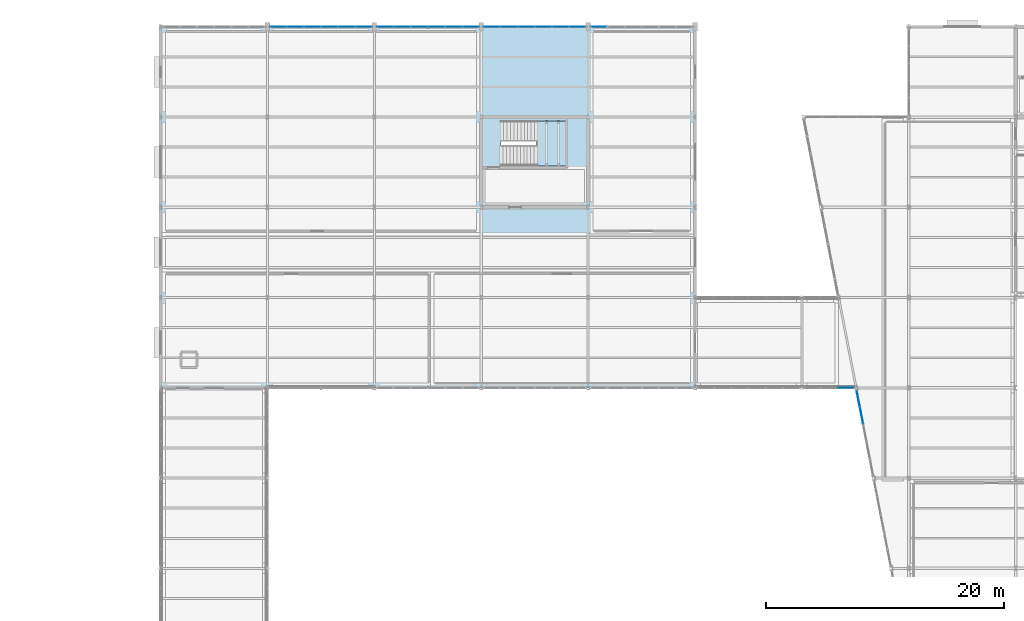
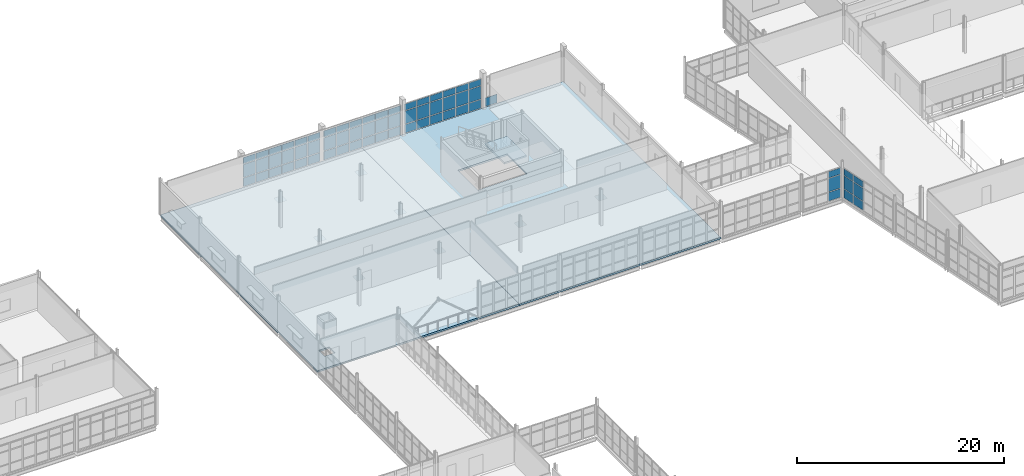
# One storey, part 140 of 174: 64 plates, 3 slabs, 7 elements without a shape of their own.
"""IFC4 building model written with IfcOpenShell, lengths in metres."""

from ifc_helpers import new_model, si_unit, direction, frame, origin, origin_2d, place, context, subcontext, project, spatial, polyline, rectangle, outline, extrude, material, layer, layer_set, type_object, element, aggregate, save


model = new_model("IFC4")

# Units and contexts
model_context = context("Model", 3, precision=1e-05, world=origin(), true_north=direction((0.0, 1.0)))
body_context = subcontext(model_context, "Body", "Model", "MODEL_VIEW")
ifc_project = project(units=[si_unit("LENGTHUNIT", "METRE"), si_unit("AREAUNIT", "SQUARE_METRE"), si_unit("VOLUMEUNIT", "CUBIC_METRE"), si_unit("PLANEANGLEUNIT", "RADIAN"), si_unit("MASSUNIT", "GRAM", prefix="KILO")], contexts=[model_context])

# Site, building, storey
site_placement = place(None, origin())
site = spatial("IfcSite", under=ifc_project, at=site_placement, CompositionType="ELEMENT")
building_placement = place(site_placement, origin())
building = spatial("IfcBuilding", under=site, at=building_placement, Name="Caisbarro Railhouse Central Library", CompositionType="ELEMENT")
storey_placement = place(building_placement, frame((0.0, 0.0, 5.0400390625)))
storey = spatial("IfcBuildingStorey", under=building, at=storey_placement, Name="L01", CompositionType="ELEMENT", Elevation=5.0400390625)

# Curtain wall, plates
ifc_material_1 = material(Name="Anodised architectural aluminium", Category="aluminium")
curtain_wall_type_1 = type_object("IfcCurtainWallType", Name="CW-CW03", PredefinedType="NOTDEFINED", material=ifc_material_1)
curtain_wall_1_placement = place(storey_placement, origin())
curtain_wall_1 = element("IfcCurtainWall", 1, at=curtain_wall_1_placement, inside=storey, type_object=curtain_wall_type_1, Name="CW03 curtain wall L01 #199", PredefinedType="NOTDEFINED")
ifc_material_2 = material(Name="Double low-e laminated solar-control glass", Category="glass")
ifc_layer_1 = layer(ifc_material_2, 0.01806640625, Name="Double low-e laminated solar-control glass")
ifc_layer_set_1 = layer_set([ifc_layer_1], Name="Double low-e laminated solar-control glass")
plate_type_1 = type_object("IfcPlateType", Name="CWP-CP18", PredefinedType="CURTAIN_PANEL", material=ifc_layer_set_1)
plate_1_placement = place(storey_placement, frame((111.683837890625, 83.60009765625, 0.06494140625), z_axis=(0.0, 0.0, 1.0), x_axis=(1.0, 0.0, 0.0)))
plate_1 = element("IfcPlate", 2, at=plate_1_placement, type_object=plate_type_1, Name="CW03 panel 3.1", PredefinedType="CURTAIN_PANEL", context=body_context, shape_type="SweptSolid", body=[
    extrude(rectangle(XDim=1.318603515625, YDim=0.01806640625, at=origin_2d()), origin(), (0.0, 0.0, 1.0), 1.0224609375),
])
plate_2_placement = place(storey_placement, frame((111.683837890625, 83.60009765625, 1.15234375), z_axis=(0.0, 0.0, 1.0), x_axis=(1.0, 0.0, 0.0)))
plate_2 = element("IfcPlate", 3, at=plate_2_placement, type_object=plate_type_1, Name="CW03 panel 3.2", PredefinedType="CURTAIN_PANEL", context=body_context, shape_type="SweptSolid", body=[
    extrude(rectangle(XDim=1.318603515625, YDim=0.01806640625, at=origin_2d()), origin(), (0.0, 0.0, 1.0), 1.574951171875),
])
plate_3_placement = place(storey_placement, frame((111.683837890625, 83.60009765625, 2.79248046875), z_axis=(0.0, 0.0, 1.0), x_axis=(1.0, 0.0, 0.0)))
plate_3 = element("IfcPlate", 4, at=plate_3_placement, type_object=plate_type_1, Name="CW03 panel 3.3", PredefinedType="CURTAIN_PANEL", context=body_context, shape_type="SweptSolid", body=[
    extrude(rectangle(XDim=1.318603515625, YDim=0.01806640625, at=origin_2d()), origin(), (0.0, 0.0, 1.0), 0.75244140625),
])
aggregate(curtain_wall_1, [plate_1, plate_2, plate_3])

curtain_wall_type_2 = type_object("IfcCurtainWallType", Name="CW-CW02", PredefinedType="NOTDEFINED", material=ifc_material_1)
curtain_wall_2_placement = place(storey_placement, origin())
curtain_wall_2 = element("IfcCurtainWall", 5, at=curtain_wall_2_placement, inside=storey, type_object=curtain_wall_type_2, Name="CW02 curtain wall L01 #112", PredefinedType="NOTDEFINED")
ifc_layer_2 = layer(ifc_material_2, 0.0380859375, Name="Double low-e laminated solar-control glass")
ifc_layer_set_2 = layer_set([ifc_layer_2], Name="Double low-e laminated solar-control glass")
plate_type_2 = type_object("IfcPlateType", Name="CWP-CP38", PredefinedType="CURTAIN_PANEL", material=ifc_layer_set_2)
plate_4_placement = place(storey_placement, frame((113.023193359375, 81.257080078125, 0.06494140625), z_axis=(0.0, 0.0, 1.0), x_axis=(-0.190780945369, 0.981632635401, 0.0)))
plate_4 = element("IfcPlate", 6, at=plate_4_placement, type_object=plate_type_2, Name="CW02 panel 4.1", PredefinedType="CURTAIN_PANEL", context=body_context, shape_type="SweptSolid", body=[
    extrude(rectangle(XDim=1.409423828125, YDim=0.0380859375, at=origin_2d()), origin(), (0.0, 0.0, 1.0), 1.0224609375),
])
plate_5_placement = place(storey_placement, frame((113.023193359375, 81.257080078125, 1.152587890625), z_axis=(0.0, 0.0, 1.0), x_axis=(-0.190780945369, 0.981632635401, 0.0)))
plate_5 = element("IfcPlate", 7, at=plate_5_placement, type_object=plate_type_2, Name="CW02 panel 4.2", PredefinedType="CURTAIN_PANEL", context=body_context, shape_type="SweptSolid", body=[
    extrude(rectangle(XDim=1.409423828125, YDim=0.0380859375, at=origin_2d()), origin(), (0.0, 0.0, 1.0), 1.52490234375),
])
plate_6_placement = place(storey_placement, frame((113.023193359375, 81.257080078125, 2.742431640625), z_axis=(0.0, 0.0, 1.0), x_axis=(-0.190780945369, 0.981632635401, 0.0)))
plate_6 = element("IfcPlate", 8, at=plate_6_placement, type_object=plate_type_2, Name="CW02 panel 4.3", PredefinedType="CURTAIN_PANEL", context=body_context, shape_type="SweptSolid", body=[
    extrude(rectangle(XDim=1.409423828125, YDim=0.0380859375, at=origin_2d()), origin(), (0.0, 0.0, 1.0), 0.75244140625),
])
plate_7_placement = place(storey_placement, frame((112.74365234375, 82.69580078125, 0.06494140625), z_axis=(0.0, 0.0, 1.0), x_axis=(-0.190780945369, 0.981632635401, 0.0)))
plate_7 = element("IfcPlate", 9, at=plate_7_placement, type_object=plate_type_2, Name="CW02 panel 5.1", PredefinedType="CURTAIN_PANEL", context=body_context, shape_type="SweptSolid", body=[
    extrude(rectangle(XDim=1.371826171875, YDim=0.0380859375, at=origin_2d()), origin(), (0.0, 0.0, 1.0), 1.0224609375),
])
plate_8_placement = place(storey_placement, frame((112.74365234375, 82.69580078125, 1.152587890625), z_axis=(0.0, 0.0, 1.0), x_axis=(-0.190780945369, 0.981632635401, 0.0)))
plate_8 = element("IfcPlate", 10, at=plate_8_placement, type_object=plate_type_2, Name="CW02 panel 5.2", PredefinedType="CURTAIN_PANEL", context=body_context, shape_type="SweptSolid", body=[
    extrude(rectangle(XDim=1.371826171875, YDim=0.0380859375, at=origin_2d()), origin(), (0.0, 0.0, 1.0), 1.52490234375),
])
plate_9_placement = place(storey_placement, frame((112.74365234375, 82.69580078125, 2.742431640625), z_axis=(0.0, 0.0, 1.0), x_axis=(-0.190780945369, 0.981632635401, 0.0)))
plate_9 = element("IfcPlate", 11, at=plate_9_placement, type_object=plate_type_2, Name="CW02 panel 5.3", PredefinedType="CURTAIN_PANEL", context=body_context, shape_type="SweptSolid", body=[
    extrude(rectangle(XDim=1.371826171875, YDim=0.0380859375, at=origin_2d()), origin(), (0.0, 0.0, 1.0), 0.75244140625),
])
aggregate(curtain_wall_2, [plate_4, plate_5, plate_6, plate_7, plate_8, plate_9])

curtain_wall_3_placement = place(storey_placement, origin())
curtain_wall_3 = element("IfcCurtainWall", 12, at=curtain_wall_3_placement, inside=storey, type_object=curtain_wall_type_1, Name="CW03 curtain wall L01 #173", PredefinedType="NOTDEFINED")
plate_10_placement = place(storey_placement, frame((63.899658203125, 114.0, 0.07470703125), z_axis=(0.0, 0.0, 1.0), x_axis=(1.0, 0.0, 0.0)))
plate_10 = element("IfcPlate", 13, at=plate_10_placement, type_object=plate_type_2, Name="CW03 panel 1.1", PredefinedType="CURTAIN_PANEL", context=body_context, shape_type="SweptSolid", body=[
    extrude(rectangle(XDim=1.34912109375, YDim=0.0380859375, at=origin_2d()), origin(), (0.0, 0.0, 1.0), 1.007568359375),
])
plate_11_placement = place(storey_placement, frame((63.899658203125, 114.0, 1.15771484375), z_axis=(0.0, 0.0, 1.0), x_axis=(1.0, 0.0, 0.0)))
plate_11 = element("IfcPlate", 14, at=plate_11_placement, type_object=plate_type_2, Name="CW03 panel 1.2", PredefinedType="CURTAIN_PANEL", context=body_context, shape_type="SweptSolid", body=[
    extrude(rectangle(XDim=1.34912109375, YDim=0.0380859375, at=origin_2d()), origin(), (0.0, 0.0, 1.0), 1.534912109375),
])
plate_12_placement = place(storey_placement, frame((63.899658203125, 114.0, 2.767578125), z_axis=(0.0, 0.0, 1.0), x_axis=(1.0, 0.0, 0.0)))
plate_12 = element("IfcPlate", 15, at=plate_12_placement, type_object=plate_type_2, Name="CW03 panel 1.3", PredefinedType="CURTAIN_PANEL", context=body_context, shape_type="SweptSolid", body=[
    extrude(rectangle(XDim=1.34912109375, YDim=0.0380859375, at=origin_2d()), origin(), (0.0, 0.0, 1.0), 0.737548828125),
])
plate_13_placement = place(storey_placement, frame((65.330078125, 114.0, 0.07470703125), z_axis=(0.0, 0.0, 1.0), x_axis=(1.0, 0.0, 0.0)))
plate_13 = element("IfcPlate", 16, at=plate_13_placement, type_object=plate_type_2, Name="CW03 panel 2.1", PredefinedType="CURTAIN_PANEL", context=body_context, shape_type="SweptSolid", body=[
    extrude(rectangle(XDim=1.381591796875, YDim=0.0380859375, at=origin_2d()), origin(), (0.0, 0.0, 1.0), 1.007568359375),
])
plate_14_placement = place(storey_placement, frame((65.330078125, 114.0, 1.15771484375), z_axis=(0.0, 0.0, 1.0), x_axis=(1.0, 0.0, 0.0)))
plate_14 = element("IfcPlate", 17, at=plate_14_placement, type_object=plate_type_2, Name="CW03 panel 2.2", PredefinedType="CURTAIN_PANEL", context=body_context, shape_type="SweptSolid", body=[
    extrude(rectangle(XDim=1.381591796875, YDim=0.0380859375, at=origin_2d()), origin(), (0.0, 0.0, 1.0), 1.534912109375),
])
plate_15_placement = place(storey_placement, frame((65.330078125, 114.0, 2.767578125), z_axis=(0.0, 0.0, 1.0), x_axis=(1.0, 0.0, 0.0)))
plate_15 = element("IfcPlate", 18, at=plate_15_placement, type_object=plate_type_2, Name="CW03 panel 2.3", PredefinedType="CURTAIN_PANEL", context=body_context, shape_type="SweptSolid", body=[
    extrude(rectangle(XDim=1.381591796875, YDim=0.0380859375, at=origin_2d()), origin(), (0.0, 0.0, 1.0), 0.737548828125),
])
plate_16_placement = place(storey_placement, frame((66.776611328125, 114.0, 0.07470703125), z_axis=(0.0, 0.0, 1.0), x_axis=(1.0, 0.0, 0.0)))
plate_16 = element("IfcPlate", 19, at=plate_16_placement, type_object=plate_type_2, Name="CW03 panel 3.1", PredefinedType="CURTAIN_PANEL", context=body_context, shape_type="SweptSolid", body=[
    extrude(rectangle(XDim=1.381591796875, YDim=0.0380859375, at=origin_2d()), origin(), (0.0, 0.0, 1.0), 1.007568359375),
])
plate_17_placement = place(storey_placement, frame((66.776611328125, 114.0, 1.15771484375), z_axis=(0.0, 0.0, 1.0), x_axis=(1.0, 0.0, 0.0)))
plate_17 = element("IfcPlate", 20, at=plate_17_placement, type_object=plate_type_2, Name="CW03 panel 3.2", PredefinedType="CURTAIN_PANEL", context=body_context, shape_type="SweptSolid", body=[
    extrude(rectangle(XDim=1.381591796875, YDim=0.0380859375, at=origin_2d()), origin(), (0.0, 0.0, 1.0), 1.534912109375),
])
plate_18_placement = place(storey_placement, frame((66.776611328125, 114.0, 2.767578125), z_axis=(0.0, 0.0, 1.0), x_axis=(1.0, 0.0, 0.0)))
plate_18 = element("IfcPlate", 21, at=plate_18_placement, type_object=plate_type_2, Name="CW03 panel 3.3", PredefinedType="CURTAIN_PANEL", context=body_context, shape_type="SweptSolid", body=[
    extrude(rectangle(XDim=1.381591796875, YDim=0.0380859375, at=origin_2d()), origin(), (0.0, 0.0, 1.0), 0.737548828125),
])
plate_19_placement = place(storey_placement, frame((68.223388671875, 114.0, 0.07470703125), z_axis=(0.0, 0.0, 1.0), x_axis=(1.0, 0.0, 0.0)))
plate_19 = element("IfcPlate", 22, at=plate_19_placement, type_object=plate_type_2, Name="CW03 panel 4.1", PredefinedType="CURTAIN_PANEL", context=body_context, shape_type="SweptSolid", body=[
    extrude(rectangle(XDim=1.381591796875, YDim=0.0380859375, at=origin_2d()), origin(), (0.0, 0.0, 1.0), 1.007568359375),
])
plate_20_placement = place(storey_placement, frame((68.223388671875, 114.0, 1.15771484375), z_axis=(0.0, 0.0, 1.0), x_axis=(1.0, 0.0, 0.0)))
plate_20 = element("IfcPlate", 23, at=plate_20_placement, type_object=plate_type_2, Name="CW03 panel 4.2", PredefinedType="CURTAIN_PANEL", context=body_context, shape_type="SweptSolid", body=[
    extrude(rectangle(XDim=1.381591796875, YDim=0.0380859375, at=origin_2d()), origin(), (0.0, 0.0, 1.0), 1.534912109375),
])
plate_21_placement = place(storey_placement, frame((68.223388671875, 114.0, 2.767578125), z_axis=(0.0, 0.0, 1.0), x_axis=(1.0, 0.0, 0.0)))
plate_21 = element("IfcPlate", 24, at=plate_21_placement, type_object=plate_type_2, Name="CW03 panel 4.3", PredefinedType="CURTAIN_PANEL", context=body_context, shape_type="SweptSolid", body=[
    extrude(rectangle(XDim=1.381591796875, YDim=0.0380859375, at=origin_2d()), origin(), (0.0, 0.0, 1.0), 0.737548828125),
])
plate_22_placement = place(storey_placement, frame((69.669921875, 114.0, 0.07470703125), z_axis=(0.0, 0.0, 1.0), x_axis=(1.0, 0.0, 0.0)))
plate_22 = element("IfcPlate", 25, at=plate_22_placement, type_object=plate_type_2, Name="CW03 panel 5.1", PredefinedType="CURTAIN_PANEL", context=body_context, shape_type="SweptSolid", body=[
    extrude(rectangle(XDim=1.381591796875, YDim=0.0380859375, at=origin_2d()), origin(), (0.0, 0.0, 1.0), 1.007568359375),
])
plate_23_placement = place(storey_placement, frame((69.669921875, 114.0, 1.15771484375), z_axis=(0.0, 0.0, 1.0), x_axis=(1.0, 0.0, 0.0)))
plate_23 = element("IfcPlate", 26, at=plate_23_placement, type_object=plate_type_2, Name="CW03 panel 5.2", PredefinedType="CURTAIN_PANEL", context=body_context, shape_type="SweptSolid", body=[
    extrude(rectangle(XDim=1.381591796875, YDim=0.0380859375, at=origin_2d()), origin(), (0.0, 0.0, 1.0), 1.534912109375),
])
plate_24_placement = place(storey_placement, frame((69.669921875, 114.0, 2.767578125), z_axis=(0.0, 0.0, 1.0), x_axis=(1.0, 0.0, 0.0)))
plate_24 = element("IfcPlate", 27, at=plate_24_placement, type_object=plate_type_2, Name="CW03 panel 5.3", PredefinedType="CURTAIN_PANEL", context=body_context, shape_type="SweptSolid", body=[
    extrude(rectangle(XDim=1.381591796875, YDim=0.0380859375, at=origin_2d()), origin(), (0.0, 0.0, 1.0), 0.737548828125),
])
plate_25_placement = place(storey_placement, frame((71.100341796875, 114.0, 0.07470703125), z_axis=(0.0, 0.0, 1.0), x_axis=(1.0, 0.0, 0.0)))
plate_25 = element("IfcPlate", 28, at=plate_25_placement, type_object=plate_type_2, Name="CW03 panel 6.1", PredefinedType="CURTAIN_PANEL", context=body_context, shape_type="SweptSolid", body=[
    extrude(rectangle(XDim=1.34912109375, YDim=0.0380859375, at=origin_2d()), origin(), (0.0, 0.0, 1.0), 1.007568359375),
])
plate_26_placement = place(storey_placement, frame((71.100341796875, 114.0, 1.15771484375), z_axis=(0.0, 0.0, 1.0), x_axis=(1.0, 0.0, 0.0)))
plate_26 = element("IfcPlate", 29, at=plate_26_placement, type_object=plate_type_2, Name="CW03 panel 6.2", PredefinedType="CURTAIN_PANEL", context=body_context, shape_type="SweptSolid", body=[
    extrude(rectangle(XDim=1.34912109375, YDim=0.0380859375, at=origin_2d()), origin(), (0.0, 0.0, 1.0), 1.534912109375),
])
plate_27_placement = place(storey_placement, frame((71.100341796875, 114.0, 2.767578125), z_axis=(0.0, 0.0, 1.0), x_axis=(1.0, 0.0, 0.0)))
plate_27 = element("IfcPlate", 30, at=plate_27_placement, type_object=plate_type_2, Name="CW03 panel 6.3", PredefinedType="CURTAIN_PANEL", context=body_context, shape_type="SweptSolid", body=[
    extrude(rectangle(XDim=1.34912109375, YDim=0.0380859375, at=origin_2d()), origin(), (0.0, 0.0, 1.0), 0.737548828125),
])
aggregate(curtain_wall_3, [plate_10, plate_11, plate_12, plate_13, plate_14, plate_15, plate_16, plate_17, plate_18, plate_19, plate_20, plate_21, plate_22, plate_23, plate_24, plate_25, plate_26, plate_27])

curtain_wall_4_placement = place(storey_placement, origin())
curtain_wall_4 = element("IfcCurtainWall", 31, at=curtain_wall_4_placement, inside=storey, type_object=curtain_wall_type_1, Name="CW03 curtain wall L01 #175", PredefinedType="NOTDEFINED")
plate_28_placement = place(storey_placement, frame((72.899658203125, 114.0, 0.07470703125), z_axis=(0.0, 0.0, 1.0), x_axis=(1.0, 0.0, 0.0)))
plate_28 = element("IfcPlate", 32, at=plate_28_placement, type_object=plate_type_2, Name="CW03 panel 1.1", PredefinedType="CURTAIN_PANEL", context=body_context, shape_type="SweptSolid", body=[
    extrude(rectangle(XDim=1.34912109375, YDim=0.0380859375, at=origin_2d()), origin(), (0.0, 0.0, 1.0), 1.007568359375),
])
plate_29_placement = place(storey_placement, frame((72.899658203125, 114.0, 1.15771484375), z_axis=(0.0, 0.0, 1.0), x_axis=(1.0, 0.0, 0.0)))
plate_29 = element("IfcPlate", 33, at=plate_29_placement, type_object=plate_type_2, Name="CW03 panel 1.2", PredefinedType="CURTAIN_PANEL", context=body_context, shape_type="SweptSolid", body=[
    extrude(rectangle(XDim=1.34912109375, YDim=0.0380859375, at=origin_2d()), origin(), (0.0, 0.0, 1.0), 1.534912109375),
])
plate_30_placement = place(storey_placement, frame((72.899658203125, 114.0, 2.767578125), z_axis=(0.0, 0.0, 1.0), x_axis=(1.0, 0.0, 0.0)))
plate_30 = element("IfcPlate", 34, at=plate_30_placement, type_object=plate_type_2, Name="CW03 panel 1.3", PredefinedType="CURTAIN_PANEL", context=body_context, shape_type="SweptSolid", body=[
    extrude(rectangle(XDim=1.34912109375, YDim=0.0380859375, at=origin_2d()), origin(), (0.0, 0.0, 1.0), 0.737548828125),
])
plate_31_placement = place(storey_placement, frame((74.330078125, 114.0, 0.07470703125), z_axis=(0.0, 0.0, 1.0), x_axis=(1.0, 0.0, 0.0)))
plate_31 = element("IfcPlate", 35, at=plate_31_placement, type_object=plate_type_2, Name="CW03 panel 2.1", PredefinedType="CURTAIN_PANEL", context=body_context, shape_type="SweptSolid", body=[
    extrude(rectangle(XDim=1.381591796875, YDim=0.0380859375, at=origin_2d()), origin(), (0.0, 0.0, 1.0), 1.007568359375),
])
plate_32_placement = place(storey_placement, frame((74.330078125, 114.0, 1.15771484375), z_axis=(0.0, 0.0, 1.0), x_axis=(1.0, 0.0, 0.0)))
plate_32 = element("IfcPlate", 36, at=plate_32_placement, type_object=plate_type_2, Name="CW03 panel 2.2", PredefinedType="CURTAIN_PANEL", context=body_context, shape_type="SweptSolid", body=[
    extrude(rectangle(XDim=1.381591796875, YDim=0.0380859375, at=origin_2d()), origin(), (0.0, 0.0, 1.0), 1.534912109375),
])
plate_33_placement = place(storey_placement, frame((74.330078125, 114.0, 2.767578125), z_axis=(0.0, 0.0, 1.0), x_axis=(1.0, 0.0, 0.0)))
plate_33 = element("IfcPlate", 37, at=plate_33_placement, type_object=plate_type_2, Name="CW03 panel 2.3", PredefinedType="CURTAIN_PANEL", context=body_context, shape_type="SweptSolid", body=[
    extrude(rectangle(XDim=1.381591796875, YDim=0.0380859375, at=origin_2d()), origin(), (0.0, 0.0, 1.0), 0.737548828125),
])
plate_34_placement = place(storey_placement, frame((75.776611328125, 114.0, 0.07470703125), z_axis=(0.0, 0.0, 1.0), x_axis=(1.0, 0.0, 0.0)))
plate_34 = element("IfcPlate", 38, at=plate_34_placement, type_object=plate_type_2, Name="CW03 panel 3.1", PredefinedType="CURTAIN_PANEL", context=body_context, shape_type="SweptSolid", body=[
    extrude(rectangle(XDim=1.381591796875, YDim=0.0380859375, at=origin_2d()), origin(), (0.0, 0.0, 1.0), 1.007568359375),
])
plate_35_placement = place(storey_placement, frame((75.776611328125, 114.0, 1.15771484375), z_axis=(0.0, 0.0, 1.0), x_axis=(1.0, 0.0, 0.0)))
plate_35 = element("IfcPlate", 39, at=plate_35_placement, type_object=plate_type_2, Name="CW03 panel 3.2", PredefinedType="CURTAIN_PANEL", context=body_context, shape_type="SweptSolid", body=[
    extrude(rectangle(XDim=1.381591796875, YDim=0.0380859375, at=origin_2d()), origin(), (0.0, 0.0, 1.0), 1.534912109375),
])
plate_36_placement = place(storey_placement, frame((75.776611328125, 114.0, 2.767578125), z_axis=(0.0, 0.0, 1.0), x_axis=(1.0, 0.0, 0.0)))
plate_36 = element("IfcPlate", 40, at=plate_36_placement, type_object=plate_type_2, Name="CW03 panel 3.3", PredefinedType="CURTAIN_PANEL", context=body_context, shape_type="SweptSolid", body=[
    extrude(rectangle(XDim=1.381591796875, YDim=0.0380859375, at=origin_2d()), origin(), (0.0, 0.0, 1.0), 0.737548828125),
])
plate_37_placement = place(storey_placement, frame((77.223388671875, 114.0, 0.07470703125), z_axis=(0.0, 0.0, 1.0), x_axis=(1.0, 0.0, 0.0)))
plate_37 = element("IfcPlate", 41, at=plate_37_placement, type_object=plate_type_2, Name="CW03 panel 4.1", PredefinedType="CURTAIN_PANEL", context=body_context, shape_type="SweptSolid", body=[
    extrude(rectangle(XDim=1.381591796875, YDim=0.0380859375, at=origin_2d()), origin(), (0.0, 0.0, 1.0), 1.007568359375),
])
plate_38_placement = place(storey_placement, frame((77.223388671875, 114.0, 1.15771484375), z_axis=(0.0, 0.0, 1.0), x_axis=(1.0, 0.0, 0.0)))
plate_38 = element("IfcPlate", 42, at=plate_38_placement, type_object=plate_type_2, Name="CW03 panel 4.2", PredefinedType="CURTAIN_PANEL", context=body_context, shape_type="SweptSolid", body=[
    extrude(rectangle(XDim=1.381591796875, YDim=0.0380859375, at=origin_2d()), origin(), (0.0, 0.0, 1.0), 1.534912109375),
])
plate_39_placement = place(storey_placement, frame((77.223388671875, 114.0, 2.767578125), z_axis=(0.0, 0.0, 1.0), x_axis=(1.0, 0.0, 0.0)))
plate_39 = element("IfcPlate", 43, at=plate_39_placement, type_object=plate_type_2, Name="CW03 panel 4.3", PredefinedType="CURTAIN_PANEL", context=body_context, shape_type="SweptSolid", body=[
    extrude(rectangle(XDim=1.381591796875, YDim=0.0380859375, at=origin_2d()), origin(), (0.0, 0.0, 1.0), 0.737548828125),
])
plate_40_placement = place(storey_placement, frame((78.669921875, 114.0, 0.07470703125), z_axis=(0.0, 0.0, 1.0), x_axis=(1.0, 0.0, 0.0)))
plate_40 = element("IfcPlate", 44, at=plate_40_placement, type_object=plate_type_2, Name="CW03 panel 5.1", PredefinedType="CURTAIN_PANEL", context=body_context, shape_type="SweptSolid", body=[
    extrude(rectangle(XDim=1.381591796875, YDim=0.0380859375, at=origin_2d()), origin(), (0.0, 0.0, 1.0), 1.007568359375),
])
plate_41_placement = place(storey_placement, frame((78.669921875, 114.0, 1.15771484375), z_axis=(0.0, 0.0, 1.0), x_axis=(1.0, 0.0, 0.0)))
plate_41 = element("IfcPlate", 45, at=plate_41_placement, type_object=plate_type_2, Name="CW03 panel 5.2", PredefinedType="CURTAIN_PANEL", context=body_context, shape_type="SweptSolid", body=[
    extrude(rectangle(XDim=1.381591796875, YDim=0.0380859375, at=origin_2d()), origin(), (0.0, 0.0, 1.0), 1.534912109375),
])
plate_42_placement = place(storey_placement, frame((78.669921875, 114.0, 2.767578125), z_axis=(0.0, 0.0, 1.0), x_axis=(1.0, 0.0, 0.0)))
plate_42 = element("IfcPlate", 46, at=plate_42_placement, type_object=plate_type_2, Name="CW03 panel 5.3", PredefinedType="CURTAIN_PANEL", context=body_context, shape_type="SweptSolid", body=[
    extrude(rectangle(XDim=1.381591796875, YDim=0.0380859375, at=origin_2d()), origin(), (0.0, 0.0, 1.0), 0.737548828125),
])
plate_43_placement = place(storey_placement, frame((80.100341796875, 114.0, 0.07470703125), z_axis=(0.0, 0.0, 1.0), x_axis=(1.0, 0.0, 0.0)))
plate_43 = element("IfcPlate", 47, at=plate_43_placement, type_object=plate_type_2, Name="CW03 panel 6.1", PredefinedType="CURTAIN_PANEL", context=body_context, shape_type="SweptSolid", body=[
    extrude(rectangle(XDim=1.34912109375, YDim=0.0380859375, at=origin_2d()), origin(), (0.0, 0.0, 1.0), 1.007568359375),
])
plate_44_placement = place(storey_placement, frame((80.100341796875, 114.0, 1.15771484375), z_axis=(0.0, 0.0, 1.0), x_axis=(1.0, 0.0, 0.0)))
plate_44 = element("IfcPlate", 48, at=plate_44_placement, type_object=plate_type_2, Name="CW03 panel 6.2", PredefinedType="CURTAIN_PANEL", context=body_context, shape_type="SweptSolid", body=[
    extrude(rectangle(XDim=1.34912109375, YDim=0.0380859375, at=origin_2d()), origin(), (0.0, 0.0, 1.0), 1.534912109375),
])
plate_45_placement = place(storey_placement, frame((80.100341796875, 114.0, 2.767578125), z_axis=(0.0, 0.0, 1.0), x_axis=(1.0, 0.0, 0.0)))
plate_45 = element("IfcPlate", 49, at=plate_45_placement, type_object=plate_type_2, Name="CW03 panel 6.3", PredefinedType="CURTAIN_PANEL", context=body_context, shape_type="SweptSolid", body=[
    extrude(rectangle(XDim=1.34912109375, YDim=0.0380859375, at=origin_2d()), origin(), (0.0, 0.0, 1.0), 0.737548828125),
])
aggregate(curtain_wall_4, [plate_28, plate_29, plate_30, plate_31, plate_32, plate_33, plate_34, plate_35, plate_36, plate_37, plate_38, plate_39, plate_40, plate_41, plate_42, plate_43, plate_44, plate_45])

curtain_wall_5_placement = place(storey_placement, origin())
curtain_wall_5 = element("IfcCurtainWall", 50, at=curtain_wall_5_placement, inside=storey, type_object=curtain_wall_type_1, Name="CW03 curtain wall L01 #177", PredefinedType="NOTDEFINED")
plate_46_placement = place(storey_placement, frame((81.899658203125, 114.0, 0.07470703125), z_axis=(0.0, 0.0, 1.0), x_axis=(1.0, 0.0, 0.0)))
plate_46 = element("IfcPlate", 51, at=plate_46_placement, type_object=plate_type_2, Name="CW03 panel 1.1", PredefinedType="CURTAIN_PANEL", context=body_context, shape_type="SweptSolid", body=[
    extrude(rectangle(XDim=1.34912109375, YDim=0.0380859375, at=origin_2d()), origin(), (0.0, 0.0, 1.0), 1.007568359375),
])
plate_47_placement = place(storey_placement, frame((81.899658203125, 114.0, 1.15771484375), z_axis=(0.0, 0.0, 1.0), x_axis=(1.0, 0.0, 0.0)))
plate_47 = element("IfcPlate", 52, at=plate_47_placement, type_object=plate_type_2, Name="CW03 panel 1.2", PredefinedType="CURTAIN_PANEL", context=body_context, shape_type="SweptSolid", body=[
    extrude(rectangle(XDim=1.34912109375, YDim=0.0380859375, at=origin_2d()), origin(), (0.0, 0.0, 1.0), 1.534912109375),
])
plate_48_placement = place(storey_placement, frame((81.899658203125, 114.0, 2.767578125), z_axis=(0.0, 0.0, 1.0), x_axis=(1.0, 0.0, 0.0)))
plate_48 = element("IfcPlate", 53, at=plate_48_placement, type_object=plate_type_2, Name="CW03 panel 1.3", PredefinedType="CURTAIN_PANEL", context=body_context, shape_type="SweptSolid", body=[
    extrude(rectangle(XDim=1.34912109375, YDim=0.0380859375, at=origin_2d()), origin(), (0.0, 0.0, 1.0), 0.737548828125),
])
plate_49_placement = place(storey_placement, frame((83.330078125, 114.0, 0.07470703125), z_axis=(0.0, 0.0, 1.0), x_axis=(1.0, 0.0, 0.0)))
plate_49 = element("IfcPlate", 54, at=plate_49_placement, type_object=plate_type_2, Name="CW03 panel 2.1", PredefinedType="CURTAIN_PANEL", context=body_context, shape_type="SweptSolid", body=[
    extrude(rectangle(XDim=1.381591796875, YDim=0.0380859375, at=origin_2d()), origin(), (0.0, 0.0, 1.0), 1.007568359375),
])
plate_50_placement = place(storey_placement, frame((83.330078125, 114.0, 1.15771484375), z_axis=(0.0, 0.0, 1.0), x_axis=(1.0, 0.0, 0.0)))
plate_50 = element("IfcPlate", 55, at=plate_50_placement, type_object=plate_type_2, Name="CW03 panel 2.2", PredefinedType="CURTAIN_PANEL", context=body_context, shape_type="SweptSolid", body=[
    extrude(rectangle(XDim=1.381591796875, YDim=0.0380859375, at=origin_2d()), origin(), (0.0, 0.0, 1.0), 1.534912109375),
])
plate_51_placement = place(storey_placement, frame((83.330078125, 114.0, 2.767578125), z_axis=(0.0, 0.0, 1.0), x_axis=(1.0, 0.0, 0.0)))
plate_51 = element("IfcPlate", 56, at=plate_51_placement, type_object=plate_type_2, Name="CW03 panel 2.3", PredefinedType="CURTAIN_PANEL", context=body_context, shape_type="SweptSolid", body=[
    extrude(rectangle(XDim=1.381591796875, YDim=0.0380859375, at=origin_2d()), origin(), (0.0, 0.0, 1.0), 0.737548828125),
])
plate_52_placement = place(storey_placement, frame((84.776611328125, 114.0, 0.07470703125), z_axis=(0.0, 0.0, 1.0), x_axis=(1.0, 0.0, 0.0)))
plate_52 = element("IfcPlate", 57, at=plate_52_placement, type_object=plate_type_2, Name="CW03 panel 3.1", PredefinedType="CURTAIN_PANEL", context=body_context, shape_type="SweptSolid", body=[
    extrude(rectangle(XDim=1.381591796875, YDim=0.0380859375, at=origin_2d()), origin(), (0.0, 0.0, 1.0), 1.007568359375),
])
plate_53_placement = place(storey_placement, frame((84.776611328125, 114.0, 1.15771484375), z_axis=(0.0, 0.0, 1.0), x_axis=(1.0, 0.0, 0.0)))
plate_53 = element("IfcPlate", 58, at=plate_53_placement, type_object=plate_type_2, Name="CW03 panel 3.2", PredefinedType="CURTAIN_PANEL", context=body_context, shape_type="SweptSolid", body=[
    extrude(rectangle(XDim=1.381591796875, YDim=0.0380859375, at=origin_2d()), origin(), (0.0, 0.0, 1.0), 1.534912109375),
])
plate_54_placement = place(storey_placement, frame((84.776611328125, 114.0, 2.767578125), z_axis=(0.0, 0.0, 1.0), x_axis=(1.0, 0.0, 0.0)))
plate_54 = element("IfcPlate", 59, at=plate_54_placement, type_object=plate_type_2, Name="CW03 panel 3.3", PredefinedType="CURTAIN_PANEL", context=body_context, shape_type="SweptSolid", body=[
    extrude(rectangle(XDim=1.381591796875, YDim=0.0380859375, at=origin_2d()), origin(), (0.0, 0.0, 1.0), 0.737548828125),
])
plate_55_placement = place(storey_placement, frame((86.223388671875, 114.0, 0.07470703125), z_axis=(0.0, 0.0, 1.0), x_axis=(1.0, 0.0, 0.0)))
plate_55 = element("IfcPlate", 60, at=plate_55_placement, type_object=plate_type_2, Name="CW03 panel 4.1", PredefinedType="CURTAIN_PANEL", context=body_context, shape_type="SweptSolid", body=[
    extrude(rectangle(XDim=1.381591796875, YDim=0.0380859375, at=origin_2d()), origin(), (0.0, 0.0, 1.0), 1.007568359375),
])
plate_56_placement = place(storey_placement, frame((86.223388671875, 114.0, 1.15771484375), z_axis=(0.0, 0.0, 1.0), x_axis=(1.0, 0.0, 0.0)))
plate_56 = element("IfcPlate", 61, at=plate_56_placement, type_object=plate_type_2, Name="CW03 panel 4.2", PredefinedType="CURTAIN_PANEL", context=body_context, shape_type="SweptSolid", body=[
    extrude(rectangle(XDim=1.381591796875, YDim=0.0380859375, at=origin_2d()), origin(), (0.0, 0.0, 1.0), 1.534912109375),
])
plate_57_placement = place(storey_placement, frame((86.223388671875, 114.0, 2.767578125), z_axis=(0.0, 0.0, 1.0), x_axis=(1.0, 0.0, 0.0)))
plate_57 = element("IfcPlate", 62, at=plate_57_placement, type_object=plate_type_2, Name="CW03 panel 4.3", PredefinedType="CURTAIN_PANEL", context=body_context, shape_type="SweptSolid", body=[
    extrude(rectangle(XDim=1.381591796875, YDim=0.0380859375, at=origin_2d()), origin(), (0.0, 0.0, 1.0), 0.737548828125),
])
plate_58_placement = place(storey_placement, frame((87.669921875, 114.0, 0.07470703125), z_axis=(0.0, 0.0, 1.0), x_axis=(1.0, 0.0, 0.0)))
plate_58 = element("IfcPlate", 63, at=plate_58_placement, type_object=plate_type_2, Name="CW03 panel 5.1", PredefinedType="CURTAIN_PANEL", context=body_context, shape_type="SweptSolid", body=[
    extrude(rectangle(XDim=1.381591796875, YDim=0.0380859375, at=origin_2d()), origin(), (0.0, 0.0, 1.0), 1.007568359375),
])
plate_59_placement = place(storey_placement, frame((87.669921875, 114.0, 1.15771484375), z_axis=(0.0, 0.0, 1.0), x_axis=(1.0, 0.0, 0.0)))
plate_59 = element("IfcPlate", 64, at=plate_59_placement, type_object=plate_type_2, Name="CW03 panel 5.2", PredefinedType="CURTAIN_PANEL", context=body_context, shape_type="SweptSolid", body=[
    extrude(rectangle(XDim=1.381591796875, YDim=0.0380859375, at=origin_2d()), origin(), (0.0, 0.0, 1.0), 1.534912109375),
])
plate_60_placement = place(storey_placement, frame((87.669921875, 114.0, 2.767578125), z_axis=(0.0, 0.0, 1.0), x_axis=(1.0, 0.0, 0.0)))
plate_60 = element("IfcPlate", 65, at=plate_60_placement, type_object=plate_type_2, Name="CW03 panel 5.3", PredefinedType="CURTAIN_PANEL", context=body_context, shape_type="SweptSolid", body=[
    extrude(rectangle(XDim=1.381591796875, YDim=0.0380859375, at=origin_2d()), origin(), (0.0, 0.0, 1.0), 0.737548828125),
])
plate_61_placement = place(storey_placement, frame((89.100341796875, 114.0, 0.07470703125), z_axis=(0.0, 0.0, 1.0), x_axis=(1.0, 0.0, 0.0)))
plate_61 = element("IfcPlate", 66, at=plate_61_placement, type_object=plate_type_2, Name="CW03 panel 6.1", PredefinedType="CURTAIN_PANEL", context=body_context, shape_type="SweptSolid", body=[
    extrude(rectangle(XDim=1.34912109375, YDim=0.0380859375, at=origin_2d()), origin(), (0.0, 0.0, 1.0), 1.007568359375),
])
plate_62_placement = place(storey_placement, frame((89.100341796875, 114.0, 1.15771484375), z_axis=(0.0, 0.0, 1.0), x_axis=(1.0, 0.0, 0.0)))
plate_62 = element("IfcPlate", 67, at=plate_62_placement, type_object=plate_type_2, Name="CW03 panel 6.2", PredefinedType="CURTAIN_PANEL", context=body_context, shape_type="SweptSolid", body=[
    extrude(rectangle(XDim=1.34912109375, YDim=0.0380859375, at=origin_2d()), origin(), (0.0, 0.0, 1.0), 1.534912109375),
])
plate_63_placement = place(storey_placement, frame((89.100341796875, 114.0, 2.767578125), z_axis=(0.0, 0.0, 1.0), x_axis=(1.0, 0.0, 0.0)))
plate_63 = element("IfcPlate", 68, at=plate_63_placement, type_object=plate_type_2, Name="CW03 panel 6.3", PredefinedType="CURTAIN_PANEL", context=body_context, shape_type="SweptSolid", body=[
    extrude(rectangle(XDim=1.34912109375, YDim=0.0380859375, at=origin_2d()), origin(), (0.0, 0.0, 1.0), 0.737548828125),
])
aggregate(curtain_wall_5, [plate_46, plate_47, plate_48, plate_49, plate_50, plate_51, plate_52, plate_53, plate_54, plate_55, plate_56, plate_57, plate_58, plate_59, plate_60, plate_61, plate_62, plate_63])

# Curtain wall, plate
curtain_wall_6_placement = place(storey_placement, origin())
curtain_wall_6 = element("IfcCurtainWall", 69, at=curtain_wall_6_placement, inside=storey, type_object=curtain_wall_type_1, Name="CW03 curtain wall L01 #179", PredefinedType="NOTDEFINED")
plate_64_placement = place(storey_placement, frame((90.899658203125, 114.0, 0.07470703125), z_axis=(0.0, 0.0, 1.0), x_axis=(1.0, 0.0, 0.0)))
plate_64 = element("IfcPlate", 70, at=plate_64_placement, type_object=plate_type_2, Name="CW03 panel 1.1", PredefinedType="CURTAIN_PANEL", context=body_context, shape_type="SweptSolid", body=[
    extrude(rectangle(XDim=1.34912109375, YDim=0.0380859375, at=origin_2d()), origin(), (0.0, 0.0, 1.0), 1.007568359375),
])
aggregate(curtain_wall_6, [plate_64])

# Slabs
ifc_material_3 = material(Name="Concrete C35", Category="concrete")
ifc_layer_3 = layer(ifc_material_3, 0.199951171875, Name="Concrete C35")
ifc_layer_set_3 = layer_set([ifc_layer_3], Name="Concrete C35")
slab_type_1 = type_object("IfcSlabType", Name="SLB-FL20", PredefinedType="FLOOR", material=ifc_layer_set_3)
slab_1_placement = place(storey_placement, frame((0.0, 0.0, -0.199951171875)))
element("IfcSlab", 71, at=slab_1_placement, inside=storey, type_object=slab_type_1, Name="SF20 structural slab L01 V6.1", PredefinedType="FLOOR", context=body_context, shape_type="SweptSolid", body=[
    extrude(outline(polyline([(54.0, 83.60009765625), (76.5, 83.60009765625), (76.5, 114.0), (54.0, 114.0), (54.0, 83.60009765625)]), holes=[polyline([(55.800048828125, 85.39990234375), (56.9599609375, 85.39990234375), (56.9599609375, 86.52001953125), (55.800048828125, 86.52001953125), (55.800048828125, 85.39990234375)])]), origin(), (0.0, 0.0, 1.0), 0.199951171875),
])
slab_2_placement = place(storey_placement, frame((0.0, 0.0, -0.199951171875)))
element("IfcSlab", 72, at=slab_2_placement, inside=storey, type_object=slab_type_1, Name="SF20 structural slab L01 V6.2", PredefinedType="FLOOR", context=body_context, shape_type="SweptSolid", body=[
    extrude(outline(polyline([(76.5, 83.60009765625), (99.0, 83.60009765625), (99.0, 114.0), (76.5, 114.0), (76.5, 83.60009765625)]), holes=[polyline([(82.64990234375, 102.25), (88.14990234375, 102.25), (88.14990234375, 106.10009765625), (82.64990234375, 106.10009765625), (82.64990234375, 102.25)])]), origin(), (0.0, 0.0, 1.0), 0.199951171875),
])

# Stair, slab
stair_type = type_object("IfcStairType", Name="STR-ST43B", PredefinedType="HALF_TURN_STAIR", material=ifc_material_3)
stair_placement = place(storey_placement, origin())
stair = element("IfcStair", 73, at=stair_placement, inside=storey, type_object=stair_type, Name="Protected Stair ST-05 (L01)", PredefinedType="HALF_TURN_STAIR")
ifc_layer_4 = layer(ifc_material_3, 0.18994140625, Name="Concrete C35")
ifc_layer_set_4 = layer_set([ifc_layer_4], Name="Concrete C35")
slab_type_2 = type_object("IfcSlabType", Name="SLB-LND19", PredefinedType="LANDING", material=ifc_layer_set_4)
slab_3_placement = place(storey_placement, frame((0.0, 0.0, 1.969970703125)))
slab_3 = element("IfcSlab", 74, at=slab_3_placement, type_object=slab_type_2, Name="ST-05 landing 1", PredefinedType="LANDING", context=body_context, shape_type="SweptSolid", body=[
    extrude(outline(polyline([(85.6201171875, 102.2900390625), (88.1201171875, 102.2900390625), (88.1201171875, 106.06005859375), (85.6201171875, 106.06005859375), (85.6201171875, 102.2900390625)])), origin(), (0.0, 0.0, 1.0), 0.18994140625),
])
aggregate(stair, [slab_3])

save(model, "model.ifc")
